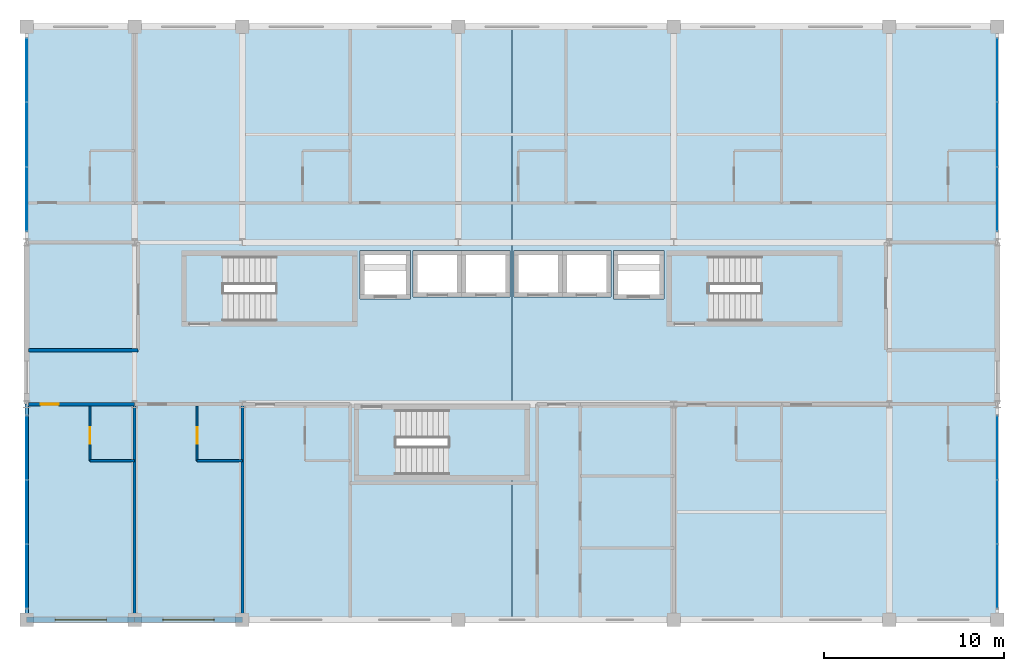
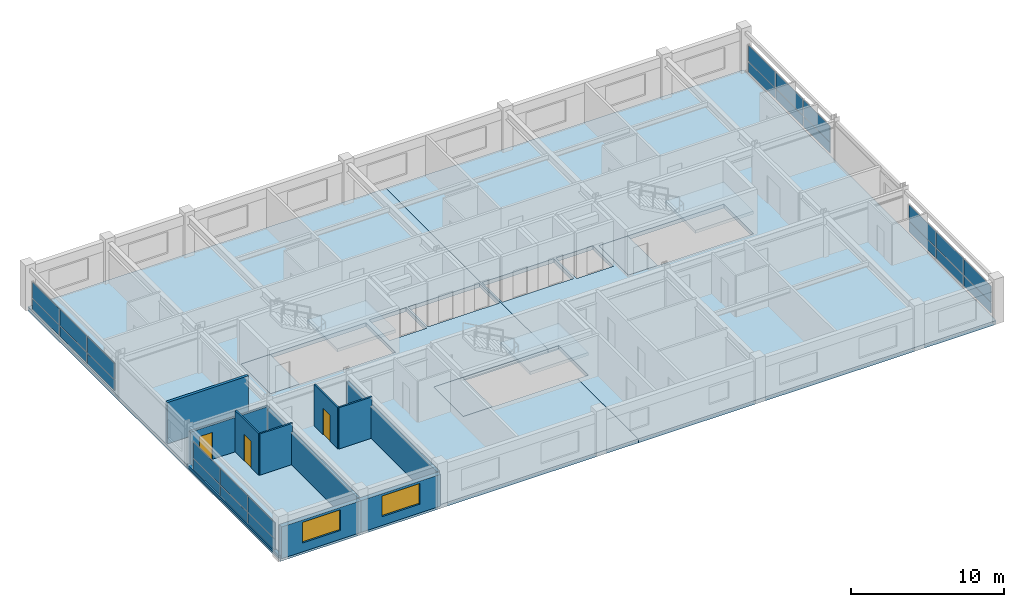
# One storey, part 15 of 20: 24 plates, 11 walls, 8 slabs, 3 doors, 2 windows, 5 openings, 7 elements without a shape of their own.
"""IFC4 building model written with IfcOpenShell, lengths in metres."""

import ifcopenshell
import ifcopenshell.guid

model = None  # the IFC model being written
_history = None  # IfcOwnerHistory: only IFC2X3 demands one
_inside = {}  # id of a spatial element -> (the spatial element, [elements in it])
_under = {}  # id of a project, library or spatial element -> (it, [spatial elements below it])
_declared = {}  # id of a project -> (the project, [libraries it declares])
_typed = {}  # id of a type object -> (the type object, [elements of that type])
_made_of = {}  # id of a material, layer set ... -> (it, [elements and type objects made of it])


def new_model(schema):
    """Start an empty IFC model of exactly this schema.

    Asked for "IFC4X3", IfcOpenShell would pick the latest addendum, in which some entities
    have other attributes; the version numbers below select the first issue.
    IFC2X3 requires an IfcOwnerHistory on every rooted entity: one is made here for all.
    """
    global model, _history
    if schema == "IFC4X3":
        model = ifcopenshell.file(schema_version=(4, 3, 0, 0))
    else:
        model = ifcopenshell.file(schema=schema)
    _inside.clear()
    _under.clear()
    _declared.clear()
    _typed.clear()
    _made_of.clear()
    _history = None
    if model.schema == "IFC2X3":
        org = make("IfcOrganization", Name="unknown")
        user = make(
            "IfcPersonAndOrganization",
            ThePerson=make("IfcPerson", FamilyName="unknown"),
            TheOrganization=org,
        )
        app = make(
            "IfcApplication",
            ApplicationDeveloper=org,
            Version="unknown",
            ApplicationFullName="unknown",
            ApplicationIdentifier="unknown",
        )
        _history = make(
            "IfcOwnerHistory",
            OwningUser=user,
            OwningApplication=app,
            ChangeAction="ADDED",
            CreationDate=0,
        )
    return model


def make(cls, **values):
    """One entity of the class cls with the attributes given. An attribute that is None is left unset."""
    return model.create_entity(
        cls, **{name: value for name, value in values.items() if value is not None}
    )


def rooted(cls, **values):
    """An entity with a GlobalId (a new one), such as an element, a storey or a relation."""
    return make(cls, GlobalId=ifcopenshell.guid.new(), OwnerHistory=_history, **values)


def si_unit(unit_type, name, prefix=None):
    """IfcSIUnit, for example si_unit("LENGTHUNIT", "METRE", prefix="MILLI")."""
    return make("IfcSIUnit", UnitType=unit_type, Prefix=prefix, Name=name)


def assignment(units):
    """IfcUnitAssignment: the units of a project."""
    return None if units is None else make("IfcUnitAssignment", Units=units)


def point(xyz):
    """IfcCartesianPoint."""
    return None if xyz is None else make("IfcCartesianPoint", Coordinates=xyz)


def direction(xyz):
    """IfcDirection."""
    return None if xyz is None else make("IfcDirection", DirectionRatios=xyz)


def frame(location, z_axis=None, x_axis=None):
    """IfcAxis2Placement3D, a coordinate frame: its origin and axes. An axis left out is left unset."""
    return make(
        "IfcAxis2Placement3D",
        Location=point(location),
        Axis=direction(z_axis),
        RefDirection=direction(x_axis),
    )


def frame_2d(location, x_axis=None):
    """IfcAxis2Placement2D, a coordinate frame in the plane: its origin and x axis."""
    return make(
        "IfcAxis2Placement2D", Location=point(location), RefDirection=direction(x_axis)
    )


def origin():
    """The frame at (0, 0, 0) with its axes left unset."""
    return frame((0.0, 0.0, 0.0))


def origin_2d():
    """The frame at (0, 0) in the plane with its x axis left unset."""
    return frame_2d((0.0, 0.0))


def place(relative_to, where):
    """IfcLocalPlacement: puts the frame where relative to a parent placement (None: the world)."""
    return make(
        "IfcLocalPlacement", PlacementRelTo=relative_to, RelativePlacement=where
    )


def context(
    kind, dimensions, precision=None, world=None, true_north=None, identifier=None
):
    """IfcGeometricRepresentationContext, for example the 3D "Model" context."""
    return make(
        "IfcGeometricRepresentationContext",
        ContextIdentifier=identifier,
        ContextType=kind,
        CoordinateSpaceDimension=dimensions,
        Precision=precision,
        WorldCoordinateSystem=world,
        TrueNorth=true_north,
    )


def subcontext(parent, identifier, kind, view, scale=None):
    """IfcGeometricRepresentationSubContext, for example "Body" below "Model"."""
    return make(
        "IfcGeometricRepresentationSubContext",
        ContextIdentifier=identifier,
        ContextType=kind,
        ParentContext=parent,
        TargetScale=scale,
        TargetView=view,
    )


def project(units=None, contexts=None):
    """IfcProject with its units and contexts."""
    return rooted(
        "IfcProject",
        Name="project",
        RepresentationContexts=contexts,
        UnitsInContext=assignment(units),
    )


def spatial(cls, under=None, at=None, **own):
    """A site, building, storey or space (cls), placed at a placement, below another one or the project."""
    s = rooted(cls, ObjectPlacement=at, **own)
    if under is not None:
        _under.setdefault(under.id(), (under, []))[1].append(s)
    return s


def polyline(points):
    """IfcPolyline through the points."""
    return make("IfcPolyline", Points=[point(p) for p in points])


def profile(cls, at=None, kind="AREA", **sizes):
    """A parametric profile (cls). Its sizes go by their IFC names, for example OverallWidth=200.0."""
    return make(cls, ProfileType=kind, Position=at, **sizes)


def rectangle(**sizes):
    """IfcRectangleProfileDef."""
    return profile("IfcRectangleProfileDef", **sizes)


def outline(outer, holes=None, kind="AREA"):
    """IfcArbitraryClosedProfileDef: a profile drawn as a closed curve; with holes, ...WithVoids."""
    if holes is None:
        return make("IfcArbitraryClosedProfileDef", ProfileType=kind, OuterCurve=outer)
    return make(
        "IfcArbitraryProfileDefWithVoids",
        ProfileType=kind,
        OuterCurve=outer,
        InnerCurves=holes,
    )


def extrude(swept, where, along, depth):
    """IfcExtrudedAreaSolid: the profile swept, set in the frame where, extruded along a direction by depth."""
    return make(
        "IfcExtrudedAreaSolid",
        SweptArea=swept,
        Position=where,
        ExtrudedDirection=direction(along),
        Depth=depth,
    )


def shape(context_of_items, identifier, shape_type, items):
    """IfcShapeRepresentation: the items that make up one representation, for example the "Body"."""
    return make(
        "IfcShapeRepresentation",
        ContextOfItems=context_of_items,
        RepresentationIdentifier=identifier,
        RepresentationType=shape_type,
        Items=items,
    )


def material(Name=None, Category=None):
    """IfcMaterial."""
    return make("IfcMaterial", Name=Name, Category=Category)


def layer(
    of_material, thickness, ventilated=None, Name=None, Category=None, Priority=None
):
    """IfcMaterialLayer: one layer of a wall or slab, of a material (None: an air gap)."""
    return make(
        "IfcMaterialLayer",
        Material=of_material,
        LayerThickness=thickness,
        IsVentilated=ventilated,
        Name=Name,
        Category=Category,
        Priority=Priority,
    )


def layer_set(layers, Name=None):
    """IfcMaterialLayerSet."""
    return make("IfcMaterialLayerSet", MaterialLayers=layers, LayerSetName=Name)


def made_of(thing, what):
    """Note that an element or type object is made of a material, layer set ...; save() writes the relation."""
    if what is not None:
        _made_of.setdefault(what.id(), (what, []))[1].append(thing)
    return thing


def type_object(cls, material=None, **own):
    """A type object (cls), such as IfcWallType, which elements share."""
    return made_of(rooted(cls, **own), material)


def element(
    cls,
    number,
    at=None,
    inside=None,
    cuts=None,
    type_object=None,
    material=None,
    context=None,
    identifier="Body",
    shape_type=None,
    held_by="IfcProductDefinitionShape",
    body=None,
    shapes=None,
    **own,
):
    """One element of the class cls, such as IfcWall. Its Tag is "e" and its number.

    at: its placement. inside: the storey or other place that contains it. cuts: it is an
    opening in that element (IfcRelVoidsElement). A single representation is given by context,
    identifier, shape_type and body (its items); several are given by shapes. held_by: the class
    of the entity that holds the representations. save() writes the other relations.
    """
    e = rooted(cls, Tag="e%d" % number, ObjectPlacement=at, **own)
    if body is not None:
        shapes = [shape(context, identifier, shape_type, body)]
    if shapes is not None:
        e.Representation = make(held_by, Representations=shapes)
    if inside is not None:
        _inside.setdefault(inside.id(), (inside, []))[1].append(e)
    if cuts is not None:
        rooted(
            "IfcRelVoidsElement", RelatingBuildingElement=cuts, RelatedOpeningElement=e
        )
    if type_object is not None:
        _typed.setdefault(type_object.id(), (type_object, []))[1].append(e)
    return made_of(e, material)


def fill(opening, filler):
    """IfcRelFillsElement: the door or window that sits in an opening."""
    return rooted(
        "IfcRelFillsElement",
        RelatingOpeningElement=opening,
        RelatedBuildingElement=filler,
    )


def aggregate(whole, parts):
    """IfcRelAggregates: a whole, such as a stair, and the parts it consists of."""
    return rooted("IfcRelAggregates", RelatingObject=whole, RelatedObjects=parts)


def save(model, path):
    """Write the relations noted so far, then the file.

    IfcRelAggregates (storeys below a building ...), IfcRelContainedInSpatialStructure (elements
    in a storey), IfcRelDefinesByType, IfcRelAssociatesMaterial and IfcRelDeclares: one each for
    every whole, place, type object, material and project.
    """
    for whole, parts in _under.values():
        aggregate(whole, parts)
    for where, things in _inside.values():
        rooted(
            "IfcRelContainedInSpatialStructure",
            RelatedElements=things,
            RelatingStructure=where,
        )
    for kind, things in _typed.values():
        rooted("IfcRelDefinesByType", RelatedObjects=things, RelatingType=kind)
    for what, things in _made_of.values():
        rooted("IfcRelAssociatesMaterial", RelatedObjects=things, RelatingMaterial=what)
    for by, libraries in _declared.values():
        rooted("IfcRelDeclares", RelatingContext=by, RelatedDefinitions=libraries)
    model.write(path)


model = new_model("IFC4")

# Units and contexts
model_context = context("Model", 3, precision=1e-05, world=origin(), true_north=direction((0.0, 1.0)))
body_context = subcontext(model_context, "Body", "Model", "MODEL_VIEW")
ifc_project = project(units=[si_unit("LENGTHUNIT", "METRE"), si_unit("AREAUNIT", "SQUARE_METRE"), si_unit("VOLUMEUNIT", "CUBIC_METRE"), si_unit("PLANEANGLEUNIT", "RADIAN"), si_unit("MASSUNIT", "GRAM", prefix="KILO")], contexts=[model_context])

# Site, building, storey
site_placement = place(None, origin())
site = spatial("IfcSite", under=ifc_project, at=site_placement, CompositionType="ELEMENT")
building_placement = place(site_placement, origin())
building = spatial("IfcBuilding", under=site, at=building_placement, Name="Kaldorvane Square Convention Centre", CompositionType="ELEMENT")
storey_placement = place(building_placement, frame((0.0, 0.0, 52.80000305175781)))
storey = spatial("IfcBuildingStorey", under=building, at=storey_placement, Name="L12", CompositionType="ELEMENT", Elevation=52.80000305175781)

# Curtain wall, plates
ifc_material_1 = material(Name="Anodized Aluminum and Low-E Insulated Glazing", Category="aluminium")
curtain_wall_type_1 = type_object("IfcCurtainWallType", Name="CW-UNI-HTL-A", PredefinedType="USERDEFINED", material=ifc_material_1)
curtain_wall_1_placement = place(storey_placement, origin())
curtain_wall_1 = element("IfcCurtainWall", 1, at=curtain_wall_1_placement, inside=storey, type_object=curtain_wall_type_1, Name="Curtain Wall CW-10 (L12)", ObjectType="UNITISED GLAZING", PredefinedType="USERDEFINED")
ifc_layer_1 = layer(ifc_material_1, 0.0240020751953125)
ifc_layer_set_1 = layer_set([ifc_layer_1], Name="Anodized Aluminum and Low-E Insulated Glazing")
plate_type_1 = type_object("IfcPlateType", Name="CW-PNL-11", PredefinedType="CURTAIN_PANEL", material=ifc_layer_set_1)
plate_1_placement = place(storey_placement, frame((84.0, 86.41499328613281, 0.2050018310546875), z_axis=(0.0, 0.0, 1.0), x_axis=(0.0, 1.0, 0.0)))
plate_1 = element("IfcPlate", 2, at=plate_1_placement, type_object=plate_type_1, Name="CW-10 panel 1.1", PredefinedType="CURTAIN_PANEL", context=body_context, shape_type="SweptSolid", body=[
    extrude(rectangle(XDim=3.5099945068359375, YDim=0.0240020751953125, at=origin_2d()), origin(), (0.0, 0.0, 1.0), 0.8175048828125),
])
plate_2_placement = place(storey_placement, frame((84.0, 86.41499328613281, 1.0774993896484375), z_axis=(0.0, 0.0, 1.0), x_axis=(0.0, 1.0, 0.0)))
plate_2 = element("IfcPlate", 3, at=plate_2_placement, type_object=plate_type_1, Name="CW-10 panel 1.2", PredefinedType="CURTAIN_PANEL", context=body_context, shape_type="SweptSolid", body=[
    extrude(rectangle(XDim=3.5099945068359375, YDim=0.0240020751953125, at=origin_2d()), origin(), (0.0, 0.0, 1.0), 1.277496337890625),
])
plate_3_placement = place(storey_placement, frame((84.0, 90.0, 0.2050018310546875), z_axis=(0.0, 0.0, 1.0), x_axis=(0.0, 1.0, 0.0)))
plate_3 = element("IfcPlate", 4, at=plate_3_placement, type_object=plate_type_1, Name="CW-10 panel 2.1", PredefinedType="CURTAIN_PANEL", context=body_context, shape_type="SweptSolid", body=[
    extrude(rectangle(XDim=3.5399932861328125, YDim=0.0240020751953125, at=origin_2d()), origin(), (0.0, 0.0, 1.0), 0.8175048828125),
])
plate_4_placement = place(storey_placement, frame((84.0, 90.0, 1.0774993896484375), z_axis=(0.0, 0.0, 1.0), x_axis=(0.0, 1.0, 0.0)))
plate_4 = element("IfcPlate", 5, at=plate_4_placement, type_object=plate_type_1, Name="CW-10 panel 2.2", PredefinedType="CURTAIN_PANEL", context=body_context, shape_type="SweptSolid", body=[
    extrude(rectangle(XDim=3.5399932861328125, YDim=0.0240020751953125, at=origin_2d()), origin(), (0.0, 0.0, 1.0), 1.277496337890625),
])
plate_5_placement = place(storey_placement, frame((84.0, 93.58500671386719, 0.2050018310546875), z_axis=(0.0, 0.0, 1.0), x_axis=(0.0, 1.0, 0.0)))
plate_5 = element("IfcPlate", 6, at=plate_5_placement, type_object=plate_type_1, Name="CW-10 panel 3.1", PredefinedType="CURTAIN_PANEL", context=body_context, shape_type="SweptSolid", body=[
    extrude(rectangle(XDim=3.5099945068359375, YDim=0.0240020751953125, at=origin_2d()), origin(), (0.0, 0.0, 1.0), 0.8175048828125),
])
plate_6_placement = place(storey_placement, frame((84.0, 93.58500671386719, 1.0774993896484375), z_axis=(0.0, 0.0, 1.0), x_axis=(0.0, 1.0, 0.0)))
plate_6 = element("IfcPlate", 7, at=plate_6_placement, type_object=plate_type_1, Name="CW-10 panel 3.2", PredefinedType="CURTAIN_PANEL", context=body_context, shape_type="SweptSolid", body=[
    extrude(rectangle(XDim=3.5099945068359375, YDim=0.0240020751953125, at=origin_2d()), origin(), (0.0, 0.0, 1.0), 1.277496337890625),
])
aggregate(curtain_wall_1, [plate_1, plate_2, plate_3, plate_4, plate_5, plate_6])

curtain_wall_2_placement = place(storey_placement, origin())
curtain_wall_2 = element("IfcCurtainWall", 8, at=curtain_wall_2_placement, inside=storey, type_object=curtain_wall_type_1, Name="Curtain Wall CW-10 (L12)", ObjectType="UNITISED GLAZING", PredefinedType="USERDEFINED")
plate_7_placement = place(storey_placement, frame((84.0, 107.41499328613281, 0.2050018310546875), z_axis=(0.0, 0.0, 1.0), x_axis=(0.0, 1.0, 0.0)))
plate_7 = element("IfcPlate", 9, at=plate_7_placement, type_object=plate_type_1, Name="CW-10 panel 1.1", PredefinedType="CURTAIN_PANEL", context=body_context, shape_type="SweptSolid", body=[
    extrude(rectangle(XDim=3.5099945068359375, YDim=0.0240020751953125, at=origin_2d()), origin(), (0.0, 0.0, 1.0), 0.8175048828125),
])
plate_8_placement = place(storey_placement, frame((84.0, 107.41499328613281, 1.0774993896484375), z_axis=(0.0, 0.0, 1.0), x_axis=(0.0, 1.0, 0.0)))
plate_8 = element("IfcPlate", 10, at=plate_8_placement, type_object=plate_type_1, Name="CW-10 panel 1.2", PredefinedType="CURTAIN_PANEL", context=body_context, shape_type="SweptSolid", body=[
    extrude(rectangle(XDim=3.5099945068359375, YDim=0.0240020751953125, at=origin_2d()), origin(), (0.0, 0.0, 1.0), 1.277496337890625),
])
plate_9_placement = place(storey_placement, frame((84.0, 111.0, 0.2050018310546875), z_axis=(0.0, 0.0, 1.0), x_axis=(0.0, 1.0, 0.0)))
plate_9 = element("IfcPlate", 11, at=plate_9_placement, type_object=plate_type_1, Name="CW-10 panel 2.1", PredefinedType="CURTAIN_PANEL", context=body_context, shape_type="SweptSolid", body=[
    extrude(rectangle(XDim=3.5399932861328125, YDim=0.0240020751953125, at=origin_2d()), origin(), (0.0, 0.0, 1.0), 0.8175048828125),
])
plate_10_placement = place(storey_placement, frame((84.0, 111.0, 1.0774993896484375), z_axis=(0.0, 0.0, 1.0), x_axis=(0.0, 1.0, 0.0)))
plate_10 = element("IfcPlate", 12, at=plate_10_placement, type_object=plate_type_1, Name="CW-10 panel 2.2", PredefinedType="CURTAIN_PANEL", context=body_context, shape_type="SweptSolid", body=[
    extrude(rectangle(XDim=3.5399932861328125, YDim=0.0240020751953125, at=origin_2d()), origin(), (0.0, 0.0, 1.0), 1.277496337890625),
])
plate_11_placement = place(storey_placement, frame((84.0, 114.58500671386719, 0.2050018310546875), z_axis=(0.0, 0.0, 1.0), x_axis=(0.0, 1.0, 0.0)))
plate_11 = element("IfcPlate", 13, at=plate_11_placement, type_object=plate_type_1, Name="CW-10 panel 3.1", PredefinedType="CURTAIN_PANEL", context=body_context, shape_type="SweptSolid", body=[
    extrude(rectangle(XDim=3.5099945068359375, YDim=0.0240020751953125, at=origin_2d()), origin(), (0.0, 0.0, 1.0), 0.8175048828125),
])
plate_12_placement = place(storey_placement, frame((84.0, 114.58500671386719, 1.0774993896484375), z_axis=(0.0, 0.0, 1.0), x_axis=(0.0, 1.0, 0.0)))
plate_12 = element("IfcPlate", 14, at=plate_12_placement, type_object=plate_type_1, Name="CW-10 panel 3.2", PredefinedType="CURTAIN_PANEL", context=body_context, shape_type="SweptSolid", body=[
    extrude(rectangle(XDim=3.5099945068359375, YDim=0.0240020751953125, at=origin_2d()), origin(), (0.0, 0.0, 1.0), 1.277496337890625),
])
aggregate(curtain_wall_2, [plate_7, plate_8, plate_9, plate_10, plate_11, plate_12])

curtain_wall_type_2 = type_object("IfcCurtainWallType", Name="CW-UNI-HTL-B", PredefinedType="USERDEFINED", material=ifc_material_1)
curtain_wall_3_placement = place(storey_placement, origin())
curtain_wall_3 = element("IfcCurtainWall", 15, at=curtain_wall_3_placement, inside=storey, type_object=curtain_wall_type_2, Name="Curtain Wall CW-11 (L12)", ObjectType="UNITISED GLAZING", PredefinedType="USERDEFINED")
ifc_layer_2 = layer(ifc_material_1, 0.0460052490234375)
ifc_layer_set_2 = layer_set([ifc_layer_2], Name="Anodized Aluminum and Low-E Insulated Glazing")
plate_type_2 = type_object("IfcPlateType", Name="CW-PNL-12", PredefinedType="CURTAIN_PANEL", material=ifc_layer_set_2)
plate_13_placement = place(storey_placement, frame((30.0, 93.58500671386719, 0.2050018310546875), z_axis=(0.0, 0.0, 1.0), x_axis=(0.0, -1.0, 0.0)))
plate_13 = element("IfcPlate", 16, at=plate_13_placement, type_object=plate_type_2, Name="CW-11 panel 1.1", PredefinedType="CURTAIN_PANEL", context=body_context, shape_type="SweptSolid", body=[
    extrude(rectangle(XDim=3.5099945068359375, YDim=0.0460052490234375, at=origin_2d()), origin(), (0.0, 0.0, 1.0), 0.8175048828125),
])
plate_14_placement = place(storey_placement, frame((30.0, 93.58500671386719, 1.0774993896484375), z_axis=(0.0, 0.0, 1.0), x_axis=(0.0, -1.0, 0.0)))
plate_14 = element("IfcPlate", 17, at=plate_14_placement, type_object=plate_type_2, Name="CW-11 panel 1.2", PredefinedType="CURTAIN_PANEL", context=body_context, shape_type="SweptSolid", body=[
    extrude(rectangle(XDim=3.5099945068359375, YDim=0.0460052490234375, at=origin_2d()), origin(), (0.0, 0.0, 1.0), 1.277496337890625),
])
plate_15_placement = place(storey_placement, frame((30.0, 90.0, 0.2050018310546875), z_axis=(0.0, 0.0, 1.0), x_axis=(0.0, -1.0, 0.0)))
plate_15 = element("IfcPlate", 18, at=plate_15_placement, type_object=plate_type_2, Name="CW-11 panel 2.1", PredefinedType="CURTAIN_PANEL", context=body_context, shape_type="SweptSolid", body=[
    extrude(rectangle(XDim=3.5399932861328125, YDim=0.0460052490234375, at=origin_2d()), origin(), (0.0, 0.0, 1.0), 0.8175048828125),
])
plate_16_placement = place(storey_placement, frame((30.0, 90.0, 1.0774993896484375), z_axis=(0.0, 0.0, 1.0), x_axis=(0.0, -1.0, 0.0)))
plate_16 = element("IfcPlate", 19, at=plate_16_placement, type_object=plate_type_2, Name="CW-11 panel 2.2", PredefinedType="CURTAIN_PANEL", context=body_context, shape_type="SweptSolid", body=[
    extrude(rectangle(XDim=3.5399932861328125, YDim=0.0460052490234375, at=origin_2d()), origin(), (0.0, 0.0, 1.0), 1.277496337890625),
])
plate_17_placement = place(storey_placement, frame((30.0, 86.41499328613281, 0.2050018310546875), z_axis=(0.0, 0.0, 1.0), x_axis=(0.0, -1.0, 0.0)))
plate_17 = element("IfcPlate", 20, at=plate_17_placement, type_object=plate_type_2, Name="CW-11 panel 3.1", PredefinedType="CURTAIN_PANEL", context=body_context, shape_type="SweptSolid", body=[
    extrude(rectangle(XDim=3.5099945068359375, YDim=0.0460052490234375, at=origin_2d()), origin(), (0.0, 0.0, 1.0), 0.8175048828125),
])
plate_18_placement = place(storey_placement, frame((30.0, 86.41499328613281, 1.0774993896484375), z_axis=(0.0, 0.0, 1.0), x_axis=(0.0, -1.0, 0.0)))
plate_18 = element("IfcPlate", 21, at=plate_18_placement, type_object=plate_type_2, Name="CW-11 panel 3.2", PredefinedType="CURTAIN_PANEL", context=body_context, shape_type="SweptSolid", body=[
    extrude(rectangle(XDim=3.5099945068359375, YDim=0.0460052490234375, at=origin_2d()), origin(), (0.0, 0.0, 1.0), 1.277496337890625),
])
aggregate(curtain_wall_3, [plate_13, plate_14, plate_15, plate_16, plate_17, plate_18])

curtain_wall_4_placement = place(storey_placement, origin())
curtain_wall_4 = element("IfcCurtainWall", 22, at=curtain_wall_4_placement, inside=storey, type_object=curtain_wall_type_2, Name="Curtain Wall CW-11 (L12)", ObjectType="UNITISED GLAZING", PredefinedType="USERDEFINED")
plate_19_placement = place(storey_placement, frame((30.0, 114.58500671386719, 0.2050018310546875), z_axis=(0.0, 0.0, 1.0), x_axis=(0.0, -1.0, 0.0)))
plate_19 = element("IfcPlate", 23, at=plate_19_placement, type_object=plate_type_2, Name="CW-11 panel 1.1", PredefinedType="CURTAIN_PANEL", context=body_context, shape_type="SweptSolid", body=[
    extrude(rectangle(XDim=3.5099945068359375, YDim=0.0460052490234375, at=origin_2d()), origin(), (0.0, 0.0, 1.0), 0.8175048828125),
])
plate_20_placement = place(storey_placement, frame((30.0, 114.58500671386719, 1.0774993896484375), z_axis=(0.0, 0.0, 1.0), x_axis=(0.0, -1.0, 0.0)))
plate_20 = element("IfcPlate", 24, at=plate_20_placement, type_object=plate_type_2, Name="CW-11 panel 1.2", PredefinedType="CURTAIN_PANEL", context=body_context, shape_type="SweptSolid", body=[
    extrude(rectangle(XDim=3.5099945068359375, YDim=0.0460052490234375, at=origin_2d()), origin(), (0.0, 0.0, 1.0), 1.277496337890625),
])
plate_21_placement = place(storey_placement, frame((30.0, 111.0, 0.2050018310546875), z_axis=(0.0, 0.0, 1.0), x_axis=(0.0, -1.0, 0.0)))
plate_21 = element("IfcPlate", 25, at=plate_21_placement, type_object=plate_type_2, Name="CW-11 panel 2.1", PredefinedType="CURTAIN_PANEL", context=body_context, shape_type="SweptSolid", body=[
    extrude(rectangle(XDim=3.5399932861328125, YDim=0.0460052490234375, at=origin_2d()), origin(), (0.0, 0.0, 1.0), 0.8175048828125),
])
plate_22_placement = place(storey_placement, frame((30.0, 111.0, 1.0774993896484375), z_axis=(0.0, 0.0, 1.0), x_axis=(0.0, -1.0, 0.0)))
plate_22 = element("IfcPlate", 26, at=plate_22_placement, type_object=plate_type_2, Name="CW-11 panel 2.2", PredefinedType="CURTAIN_PANEL", context=body_context, shape_type="SweptSolid", body=[
    extrude(rectangle(XDim=3.5399932861328125, YDim=0.0460052490234375, at=origin_2d()), origin(), (0.0, 0.0, 1.0), 1.277496337890625),
])
plate_23_placement = place(storey_placement, frame((30.0, 107.41499328613281, 0.2050018310546875), z_axis=(0.0, 0.0, 1.0), x_axis=(0.0, -1.0, 0.0)))
plate_23 = element("IfcPlate", 27, at=plate_23_placement, type_object=plate_type_2, Name="CW-11 panel 3.1", PredefinedType="CURTAIN_PANEL", context=body_context, shape_type="SweptSolid", body=[
    extrude(rectangle(XDim=3.5099945068359375, YDim=0.0460052490234375, at=origin_2d()), origin(), (0.0, 0.0, 1.0), 0.8175048828125),
])
plate_24_placement = place(storey_placement, frame((30.0, 107.41499328613281, 1.0774993896484375), z_axis=(0.0, 0.0, 1.0), x_axis=(0.0, -1.0, 0.0)))
plate_24 = element("IfcPlate", 28, at=plate_24_placement, type_object=plate_type_2, Name="CW-11 panel 3.2", PredefinedType="CURTAIN_PANEL", context=body_context, shape_type="SweptSolid", body=[
    extrude(rectangle(XDim=3.5099945068359375, YDim=0.0460052490234375, at=origin_2d()), origin(), (0.0, 0.0, 1.0), 1.277496337890625),
])
aggregate(curtain_wall_4, [plate_19, plate_20, plate_21, plate_22, plate_23, plate_24])

# Slabs
ifc_material_2 = material(Name="Concrete f'c = 42 MPa (Normalweight)", Category="concrete")
ifc_layer_3 = layer(ifc_material_2, 0.279998779296875)
ifc_layer_set_3 = layer_set([ifc_layer_3], Name="Concrete f'c = 42 MPa (Normalweight)")
slab_type_1 = type_object("IfcSlabType", Name="SL-FLND-280", PredefinedType="FLOOR", material=ifc_layer_set_3)
slab_1_placement = place(storey_placement, frame((0.0, 0.0, -0.279998779296875)))
element("IfcSlab", 29, at=slab_1_placement, inside=storey, type_object=slab_type_1, Name="Tower Exit Stair T1 Floor Landing (L12)", PredefinedType="FLOOR", context=body_context, shape_type="SweptSolid", body=[
    extrude(outline(polyline([(38.779998779296875, 100.49000549316406), (40.97999572753906, 100.49000549316406), (40.97999572753906, 104.3699951171875), (38.779998779296875, 104.3699951171875), (38.779998779296875, 100.49000549316406)])), origin(), (0.0, 0.0, 1.0), 0.279998779296875),
])
slab_2_placement = place(storey_placement, frame((0.0, 0.0, -0.279998779296875)))
element("IfcSlab", 30, at=slab_2_placement, inside=storey, type_object=slab_type_1, Name="Tower Exit Stair T2 Floor Landing (L12)", PredefinedType="FLOOR", context=body_context, shape_type="SweptSolid", body=[
    extrude(outline(polyline([(65.77999877929688, 100.49000549316406), (67.97999572753906, 100.49000549316406), (67.97999572753906, 104.3699951171875), (65.77999877929688, 104.3699951171875), (65.77999877929688, 100.49000549316406)])), origin(), (0.0, 0.0, 1.0), 0.279998779296875),
])
slab_3_placement = place(storey_placement, frame((0.0, 0.0, -0.279998779296875)))
element("IfcSlab", 31, at=slab_3_placement, inside=storey, type_object=slab_type_1, Name="Tower Exit Stair T3 Floor Landing (L12)", PredefinedType="FLOOR", context=body_context, shape_type="SweptSolid", body=[
    extrude(outline(polyline([(48.3800048828125, 91.94000244140625), (50.58000183105469, 91.94000244140625), (50.58000183105469, 95.82000732421875), (48.3800048828125, 95.82000732421875), (48.3800048828125, 91.94000244140625)])), origin(), (0.0, 0.0, 1.0), 0.279998779296875),
])
ifc_layer_4 = layer(ifc_material_2, 0.30999755859375)
ifc_layer_set_4 = layer_set([ifc_layer_4], Name="Concrete f'c = 42 MPa (Normalweight)")
slab_type_2 = type_object("IfcSlabType", Name="SL-HTL-250", PredefinedType="FLOOR", material=ifc_layer_set_4)
slab_4_placement = place(storey_placement, frame((0.0, 0.0, -0.30999755859375)))
element("IfcSlab", 32, at=slab_4_placement, inside=storey, type_object=slab_type_2, Name="Hotel Tower Floor Slab L12-1.1", PredefinedType="FLOOR", context=body_context, shape_type="SweptSolid", body=[
    extrude(outline(polyline([(30.0, 117.0), (57.0, 117.0), (57.0, 95.82000732421875), (48.3800048828125, 95.82000732421875), (48.3800048828125, 91.94000244140625), (57.0, 91.94000244140625), (57.0, 84.0), (30.0, 84.0), (30.0, 117.0)]), holes=[polyline([(38.779998779296875, 104.3699951171875), (38.779998779296875, 100.49000549316406), (48.220001220703125, 100.49000549316406), (48.220001220703125, 104.3699951171875), (38.779998779296875, 104.3699951171875)]), polyline([(48.55000305175781, 104.55000305175781), (48.55000305175781, 101.85000610351562), (51.350006103515625, 101.85000610351562), (51.350006103515625, 104.55000305175781), (48.55000305175781, 104.55000305175781)]), polyline([(51.5, 104.55000305175781), (51.5, 101.94999694824219), (54.19999694824219, 101.94999694824219), (56.899993896484375, 101.94999694824219), (56.899993896484375, 104.55000305175781), (54.19999694824219, 104.55000305175781), (51.5, 104.55000305175781)])]), origin(), (0.0, 0.0, 1.0), 0.30999755859375),
])
slab_5_placement = place(storey_placement, frame((0.0, 0.0, -0.30999755859375)))
element("IfcSlab", 33, at=slab_5_placement, inside=storey, type_object=slab_type_2, Name="Hotel Tower Floor Slab L12-2.1", PredefinedType="FLOOR", context=body_context, shape_type="SweptSolid", body=[
    extrude(outline(polyline([(84.0, 117.0), (84.0, 84.0), (57.0, 84.0), (57.0, 91.94000244140625), (57.82000732421875, 91.94000244140625), (57.82000732421875, 95.82000732421875), (57.0, 95.82000732421875), (57.0, 117.0), (84.0, 117.0)]), holes=[polyline([(65.77999877929688, 104.3699951171875), (65.77999877929688, 100.49000549316406), (75.22000122070312, 100.49000549316406), (75.22000122070312, 104.3699951171875), (65.77999877929688, 104.3699951171875)]), polyline([(62.649993896484375, 104.55000305175781), (62.649993896484375, 101.85000610351562), (65.44999694824219, 101.85000610351562), (65.44999694824219, 104.55000305175781), (62.649993896484375, 104.55000305175781)]), polyline([(57.100006103515625, 104.55000305175781), (57.100006103515625, 101.94999694824219), (59.80000305175781, 101.94999694824219), (62.5, 101.94999694824219), (62.5, 104.55000305175781), (59.80000305175781, 104.55000305175781), (57.100006103515625, 104.55000305175781)])]), origin(), (0.0, 0.0, 1.0), 0.30999755859375),
])

# Stair, slab
stair_type = type_object("IfcStairType", Name="ST-DL-1600-3600", PredefinedType="HALF_TURN_STAIR", material=ifc_material_2)
stair_1_placement = place(storey_placement, origin())
stair_1 = element("IfcStair", 34, at=stair_1_placement, inside=storey, type_object=stair_type, Name="Tower Exit Stair T1 (L12)", PredefinedType="HALF_TURN_STAIR")
ifc_layer_5 = layer(ifc_material_2, 0.2400054931640625)
ifc_layer_set_5 = layer_set([ifc_layer_5], Name="Concrete f'c = 42 MPa (Normalweight)")
slab_type_3 = type_object("IfcSlabType", Name="SL-LAND-240", PredefinedType="LANDING", material=ifc_layer_set_5)
slab_6_placement = place(storey_placement, frame((0.0, 0.0, 1.55999755859375)))
slab_6 = element("IfcSlab", 35, at=slab_6_placement, type_object=slab_type_3, Name="Tower Exit Stair T1 Half Landing (L12)", PredefinedType="LANDING", context=body_context, shape_type="SweptSolid", body=[
    extrude(outline(polyline([(43.82000732421875, 100.49000549316406), (48.220001220703125, 100.49000549316406), (48.220001220703125, 104.3699951171875), (43.82000732421875, 104.3699951171875), (43.82000732421875, 100.49000549316406)])), origin(), (0.0, 0.0, 1.0), 0.2400054931640625),
])
aggregate(stair_1, [slab_6])

stair_2_placement = place(storey_placement, origin())
stair_2 = element("IfcStair", 36, at=stair_2_placement, inside=storey, type_object=stair_type, Name="Tower Exit Stair T2 (L12)", PredefinedType="HALF_TURN_STAIR")
slab_7_placement = place(storey_placement, frame((0.0, 0.0, 1.55999755859375)))
slab_7 = element("IfcSlab", 37, at=slab_7_placement, type_object=slab_type_3, Name="Tower Exit Stair T2 Half Landing (L12)", PredefinedType="LANDING", context=body_context, shape_type="SweptSolid", body=[
    extrude(outline(polyline([(70.82000732421875, 100.49000549316406), (75.22000122070312, 100.49000549316406), (75.22000122070312, 104.3699951171875), (70.82000732421875, 104.3699951171875), (70.82000732421875, 100.49000549316406)])), origin(), (0.0, 0.0, 1.0), 0.2400054931640625),
])
aggregate(stair_2, [slab_7])

stair_3_placement = place(storey_placement, origin())
stair_3 = element("IfcStair", 38, at=stair_3_placement, inside=storey, type_object=stair_type, Name="Tower Exit Stair T3 (L12)", PredefinedType="HALF_TURN_STAIR")
slab_8_placement = place(storey_placement, frame((0.0, 0.0, 1.55999755859375)))
slab_8 = element("IfcSlab", 39, at=slab_8_placement, type_object=slab_type_3, Name="Tower Exit Stair T3 Half Landing (L12)", PredefinedType="LANDING", context=body_context, shape_type="SweptSolid", body=[
    extrude(outline(polyline([(53.41999816894531, 91.94000244140625), (57.82000732421875, 91.94000244140625), (57.82000732421875, 95.82000732421875), (53.41999816894531, 95.82000732421875), (53.41999816894531, 91.94000244140625)])), origin(), (0.0, 0.0, 1.0), 0.2400054931640625),
])
aggregate(stair_3, [slab_8])

# Wall, opening, door
ifc_material_3 = material(Name="Fire-Rated Gypsum Board on Acoustic Steel Studs", Category="steel")
ifc_layer_6 = layer(ifc_material_3, 0.125)
ifc_layer_set_6 = layer_set([ifc_layer_6], Name="Fire-Rated Gypsum Board on Acoustic Steel Studs")
wall_type_1 = type_object("IfcWallType", Name="WL-BATH-125", PredefinedType="PARTITIONING", material=ifc_layer_set_6)
wall_1_placement = place(storey_placement, frame((33.52000427246094, 92.85000610351562, 0.0), z_axis=(0.0, 0.0, 1.0), x_axis=(0.0, 1.0, 0.0)))
wall_1 = element("IfcWall", 40, at=wall_1_placement, inside=storey, type_object=wall_type_1, Name="En-Suite 1206 West Wall", PredefinedType="PARTITIONING", context=body_context, shape_type="SweptSolid", body=[
    extrude(rectangle(XDim=3.05999755859375, YDim=0.125, at=frame_2d((1.529998779296875, 0.0))), origin(), (0.0, 0.0, 1.0), 3.2899932861328125),
])
opening_1_placement = place(wall_1_placement, frame((0.9499969482421875, 0.0, 0.0)))
opening_1 = element("IfcOpeningElement", 41, at=opening_1_placement, cuts=wall_1, Name="Opening ID-12", PredefinedType="OPENING", context=body_context, shape_type="SweptSolid", body=[
    extrude(rectangle(XDim=0.9199981689453125, YDim=2.100006103515625, at=frame_2d((0.459991455078125, 1.0500030517578125))), frame((0.0, 0.0774993896484375, 0.0), z_axis=(0.0, -1.0, 0.0), x_axis=(1.0, 0.0, 0.0)), (0.0, 0.0, 1.0), 0.154998779296875),
])
ifc_material_4 = material(Name="Architectural Solid-Core White Oak")
door_type_1 = type_object("IfcDoorType", Name="DR-BATH-0920X2100", OperationType="SINGLE_SWING_RIGHT", PredefinedType="DOOR", material=ifc_material_4)
door_1_placement = place(opening_1_placement, origin())
door_1 = element("IfcDoor", 42, at=door_1_placement, inside=storey, type_object=door_type_1, Name="En-Suite Bathroom 1206 Door", OperationType="SINGLE_SWING_RIGHT", OverallHeight=2.100006103515625, OverallWidth=0.9199981689453125, PredefinedType="DOOR", context=body_context, shape_type="SweptSolid", body=[
    extrude(rectangle(XDim=0.9199981689453125, YDim=2.100006103515625, at=frame_2d((0.459991455078125, 1.0500030517578125))), frame((0.0, 0.024993896484375, 0.0), z_axis=(0.0, -1.0, 0.0), x_axis=(1.0, 0.0, 0.0)), (0.0, 0.0, 1.0), 0.0500030517578125),
])
fill(opening_1, door_1)

# Wall
wall_2_placement = place(storey_placement, frame((33.52000427246094, 92.85000610351562, 0.0), z_axis=(0.0, 0.0, 1.0), x_axis=(1.0, 0.0, 0.0)))
element("IfcWall", 43, at=wall_2_placement, inside=storey, type_object=wall_type_1, Name="En-Suite 1206 South Wall", PredefinedType="PARTITIONING", context=body_context, shape_type="SweptSolid", body=[
    extrude(rectangle(XDim=2.4799957275390625, YDim=0.125, at=frame_2d((1.239990234375, 0.0))), origin(), (0.0, 0.0, 1.0), 3.2899932861328125),
])

# Wall, opening, door
wall_3_placement = place(storey_placement, frame((39.47999572753906, 92.85000610351562, 0.0), z_axis=(0.0, 0.0, 1.0), x_axis=(0.0, 1.0, 0.0)))
wall_3 = element("IfcWall", 44, at=wall_3_placement, inside=storey, type_object=wall_type_1, Name="En-Suite 1207 West Wall", PredefinedType="PARTITIONING", context=body_context, shape_type="SweptSolid", body=[
    extrude(rectangle(XDim=3.05999755859375, YDim=0.125, at=frame_2d((1.529998779296875, 0.0))), origin(), (0.0, 0.0, 1.0), 3.2899932861328125),
])
opening_2_placement = place(wall_3_placement, frame((0.9499969482421875, 0.0, 0.0)))
opening_2 = element("IfcOpeningElement", 45, at=opening_2_placement, cuts=wall_3, Name="Opening ID-12", PredefinedType="OPENING", context=body_context, shape_type="SweptSolid", body=[
    extrude(rectangle(XDim=0.9199981689453125, YDim=2.100006103515625, at=frame_2d((0.459991455078125, 1.0500030517578125))), frame((0.0, 0.0774993896484375, 0.0), z_axis=(0.0, -1.0, 0.0), x_axis=(1.0, 0.0, 0.0)), (0.0, 0.0, 1.0), 0.154998779296875),
])
door_2_placement = place(opening_2_placement, origin())
door_2 = element("IfcDoor", 46, at=door_2_placement, inside=storey, type_object=door_type_1, Name="En-Suite Bathroom 1207 Door", OperationType="SINGLE_SWING_RIGHT", OverallHeight=2.100006103515625, OverallWidth=0.9199981689453125, PredefinedType="DOOR", context=body_context, shape_type="SweptSolid", body=[
    extrude(rectangle(XDim=0.9199981689453125, YDim=2.100006103515625, at=frame_2d((0.459991455078125, 1.0500030517578125))), frame((0.0, 0.024993896484375, 0.0), z_axis=(0.0, -1.0, 0.0), x_axis=(1.0, 0.0, 0.0)), (0.0, 0.0, 1.0), 0.0500030517578125),
])
fill(opening_2, door_2)

# Walls
wall_4_placement = place(storey_placement, frame((39.47999572753906, 92.85000610351562, 0.0), z_axis=(0.0, 0.0, 1.0), x_axis=(1.0, 0.0, 0.0)))
element("IfcWall", 47, at=wall_4_placement, inside=storey, type_object=wall_type_1, Name="En-Suite 1207 South Wall", PredefinedType="PARTITIONING", context=body_context, shape_type="SweptSolid", body=[
    extrude(rectangle(XDim=2.5200042724609375, YDim=0.125, at=frame_2d((1.260009765625, 0.0))), origin(), (0.0, 0.0, 1.0), 3.2899932861328125),
])
ifc_layer_7 = layer(ifc_material_3, 0.1999969482421875)
ifc_layer_set_7 = layer_set([ifc_layer_7], Name="Fire-Rated Gypsum Board on Acoustic Steel Studs")
wall_type_2 = type_object("IfcWallType", Name="WL-CORR-200", PredefinedType="PARTITIONING", material=ifc_layer_set_7)
wall_5_placement = place(storey_placement, frame((30.085006713867188, 99.0, 0.0), z_axis=(0.0, 0.0, 1.0), x_axis=(1.0, 0.0, 0.0)))
element("IfcWall", 48, at=wall_5_placement, inside=storey, type_object=wall_type_2, Name="West Sunset Sitting Alcove (L12) S Wall", PredefinedType="PARTITIONING", context=body_context, shape_type="SweptSolid", body=[
    extrude(rectangle(XDim=6.114990234375, YDim=0.1999969482421875, at=frame_2d((3.0574951171875, 0.0))), origin(), (0.0, 0.0, 1.0), 3.2899932861328125),
])

# Wall, opening, window
ifc_material_5 = material(Name="Concrete f'c = 35 MPa (Normalweight)", Category="concrete")
ifc_layer_8 = layer(ifc_material_5, 0.32000732421875)
ifc_layer_set_8 = layer_set([ifc_layer_8], Name="Concrete f'c = 35 MPa (Normalweight)")
wall_type_3 = type_object("IfcWallType", Name="WL-EXT-320", PredefinedType="STANDARD", material=ifc_layer_set_8)
wall_6_placement = place(storey_placement, frame((30.0, 84.0, 0.0), z_axis=(0.0, 0.0, 1.0), x_axis=(1.0, 0.0, 0.0)))
wall_6 = element("IfcWall", 49, at=wall_6_placement, inside=storey, type_object=wall_type_3, Name="Hotel S Brutalist Facade Wall (L12)", PredefinedType="STANDARD", context=body_context, shape_type="SweptSolid", body=[
    extrude(rectangle(XDim=6.0, YDim=0.32000732421875, at=frame_2d((3.0, 0.0))), origin(), (0.0, 0.0, 1.0), 2.5359954833984375),
])
opening_3_placement = place(wall_6_placement, frame((1.5749969482421875, 0.0, 0.6999969482421875)))
opening_3 = element("IfcOpeningElement", 50, at=opening_3_placement, cuts=wall_6, Name="Opening W-04", PredefinedType="OPENING", context=body_context, shape_type="SweptSolid", body=[
    extrude(rectangle(XDim=2.850006103515625, YDim=1.649993896484375, at=frame_2d((1.4250030517578125, 0.8249969482421875))), frame((0.0, 0.1750030517578125, 0.0), z_axis=(0.0, -1.0, 0.0), x_axis=(1.0, 0.0, 0.0)), (0.0, 0.0, 1.0), 0.350006103515625),
])
window_type = type_object("IfcWindowType", Name="WN-HTL-2850X1650", PartitioningType="TRIPLE_PANEL_VERTICAL", PredefinedType="WINDOW", material=ifc_material_1)
window_1_placement = place(opening_3_placement, origin())
window_1 = element("IfcWindow", 51, at=window_1_placement, inside=storey, type_object=window_type, Name="Hotel S Window (L12)", OverallHeight=1.649993896484375, OverallWidth=2.850006103515625, PartitioningType="TRIPLE_PANEL_VERTICAL", PredefinedType="WINDOW", context=body_context, shape_type="SweptSolid", body=[
    extrude(rectangle(XDim=2.850006103515625, YDim=1.649993896484375, at=frame_2d((1.4250030517578125, 0.8249969482421875))), frame((0.0, 0.029998779296875, 0.0), z_axis=(0.0, -1.0, 0.0), x_axis=(1.0, 0.0, 0.0)), (0.0, 0.0, 1.0), 0.05999755859375),
])
fill(opening_3, window_1)

wall_7_placement = place(storey_placement, frame((36.0, 84.0, 0.0), z_axis=(0.0, 0.0, 1.0), x_axis=(1.0, 0.0, 0.0)))
wall_7 = element("IfcWall", 52, at=wall_7_placement, inside=storey, type_object=wall_type_3, Name="Hotel S Brutalist Facade Wall (L12)", PredefinedType="STANDARD", context=body_context, shape_type="SweptSolid", body=[
    extrude(rectangle(XDim=6.0, YDim=0.32000732421875, at=frame_2d((3.0, 0.0))), origin(), (0.0, 0.0, 1.0), 2.5359954833984375),
])
opening_4_placement = place(wall_7_placement, frame((1.5749969482421875, 0.0, 0.6999969482421875)))
opening_4 = element("IfcOpeningElement", 53, at=opening_4_placement, cuts=wall_7, Name="Opening W-04", PredefinedType="OPENING", context=body_context, shape_type="SweptSolid", body=[
    extrude(rectangle(XDim=2.850006103515625, YDim=1.649993896484375, at=frame_2d((1.4250030517578125, 0.8249969482421875))), frame((0.0, 0.1750030517578125, 0.0), z_axis=(0.0, -1.0, 0.0), x_axis=(1.0, 0.0, 0.0)), (0.0, 0.0, 1.0), 0.350006103515625),
])
window_2_placement = place(opening_4_placement, origin())
window_2 = element("IfcWindow", 54, at=window_2_placement, inside=storey, type_object=window_type, Name="Hotel S Window (L12)", OverallHeight=1.649993896484375, OverallWidth=2.850006103515625, PartitioningType="TRIPLE_PANEL_VERTICAL", PredefinedType="WINDOW", context=body_context, shape_type="SweptSolid", body=[
    extrude(rectangle(XDim=2.850006103515625, YDim=1.649993896484375, at=frame_2d((1.4250030517578125, 0.8249969482421875))), frame((0.0, 0.029998779296875, 0.0), z_axis=(0.0, -1.0, 0.0), x_axis=(1.0, 0.0, 0.0)), (0.0, 0.0, 1.0), 0.05999755859375),
])
fill(opening_4, window_2)

# Wall
ifc_layer_9 = layer(ifc_material_5, 0.220001220703125)
ifc_layer_set_9 = layer_set([ifc_layer_9], Name="Concrete f'c = 35 MPa (Normalweight)")
wall_type_4 = type_object("IfcWallType", Name="WL-PAR-220", PredefinedType="PARAPET", material=ifc_layer_set_9)
wall_8_placement = place(storey_placement, frame((30.0, 96.0, 0.0), z_axis=(0.0, 0.0, 1.0), x_axis=(0.0, -1.0, 0.0)))
element("IfcWall", 55, at=wall_8_placement, inside=storey, type_object=wall_type_4, Name="Hotel End Curtain-Wall Sill (L12)", PredefinedType="PARAPET", context=body_context, shape_type="SweptSolid", body=[
    extrude(rectangle(XDim=12.0, YDim=0.220001220703125, at=frame_2d((6.0, 0.0))), origin(), (0.0, 0.0, 1.0), 0.1999969482421875),
])

# Wall, opening, door
ifc_layer_10 = layer(ifc_material_3, 0.17999267578125)
ifc_layer_set_10 = layer_set([ifc_layer_10], Name="Fire-Rated Gypsum Board on Acoustic Steel Studs")
wall_type_5 = type_object("IfcWallType", Name="WL-UNIT-180", PredefinedType="PARTITIONING", material=ifc_layer_set_10)
wall_9_placement = place(storey_placement, frame((30.085006713867188, 96.0, 0.0), z_axis=(0.0, 0.0, 1.0), x_axis=(1.0, 0.0, 0.0)))
wall_9 = element("IfcWall", 56, at=wall_9_placement, inside=storey, type_object=wall_type_5, Name="Hotel Guest Room 1206 Corridor Wall", PredefinedType="PARTITIONING", context=body_context, shape_type="SweptSolid", body=[
    extrude(rectangle(XDim=5.9149932861328125, YDim=0.17999267578125, at=frame_2d((2.957489013671875, 0.0))), origin(), (0.0, 0.0, 1.0), 2.735992431640625),
])
opening_5_placement = place(wall_9_placement, frame((0.68499755859375, 0.0, 0.0)))
opening_5 = element("IfcOpeningElement", 57, at=opening_5_placement, cuts=wall_9, Name="Opening ID-10", PredefinedType="OPENING", context=body_context, shape_type="SweptSolid", body=[
    extrude(rectangle(XDim=1.0, YDim=2.149993896484375, at=frame_2d((0.5, 1.0749969482421875))), frame((0.0, 0.1049957275390625, 0.0), z_axis=(0.0, -1.0, 0.0), x_axis=(1.0, 0.0, 0.0)), (0.0, 0.0, 1.0), 0.209991455078125),
])
door_type_2 = type_object("IfcDoorType", Name="DR-GUEST-1000X2150", OperationType="SINGLE_SWING_LEFT", PredefinedType="DOOR", material=ifc_material_4)
door_3_placement = place(opening_5_placement, origin())
door_3 = element("IfcDoor", 58, at=door_3_placement, inside=storey, type_object=door_type_2, Name="Hotel Guest Room 1206 Entry Door", OperationType="SINGLE_SWING_LEFT", OverallHeight=2.149993896484375, OverallWidth=1.0, PredefinedType="DOOR", context=body_context, shape_type="SweptSolid", body=[
    extrude(rectangle(XDim=1.0, YDim=2.149993896484375, at=frame_2d((0.5, 1.0749969482421875))), frame((0.0, 0.024993896484375, 0.0), z_axis=(0.0, -1.0, 0.0), x_axis=(1.0, 0.0, 0.0)), (0.0, 0.0, 1.0), 0.0500030517578125),
])
fill(opening_5, door_3)

# Walls
for number, where, z_axis, x_axis, name in (
    (59, (36.0, 84.16000366210938, 0.0), (0.0, 0.0, 1.0), (0.0, 1.0, 0.0), "Guestroom Demising Wall 1206"),
    (60, (42.0, 84.16000366210938, 0.0), (0.0, 0.0, 1.0), (0.0, 1.0, 0.0), "Guestroom Demising Wall 1207"),
):
    element("IfcWall", number, at=place(storey_placement, frame(where, z_axis=z_axis, x_axis=x_axis)), inside=storey, type_object=wall_type_5, Name=name, PredefinedType="PARTITIONING", context=body_context, shape_type="SweptSolid", body=[
        extrude(rectangle(XDim=11.839996337890625, YDim=0.17999267578125, at=frame_2d((5.9199981689453125, 0.0))), origin(), (0.0, 0.0, 1.0), 2.589996337890625),
    ])

save(model, "model.ifc")
